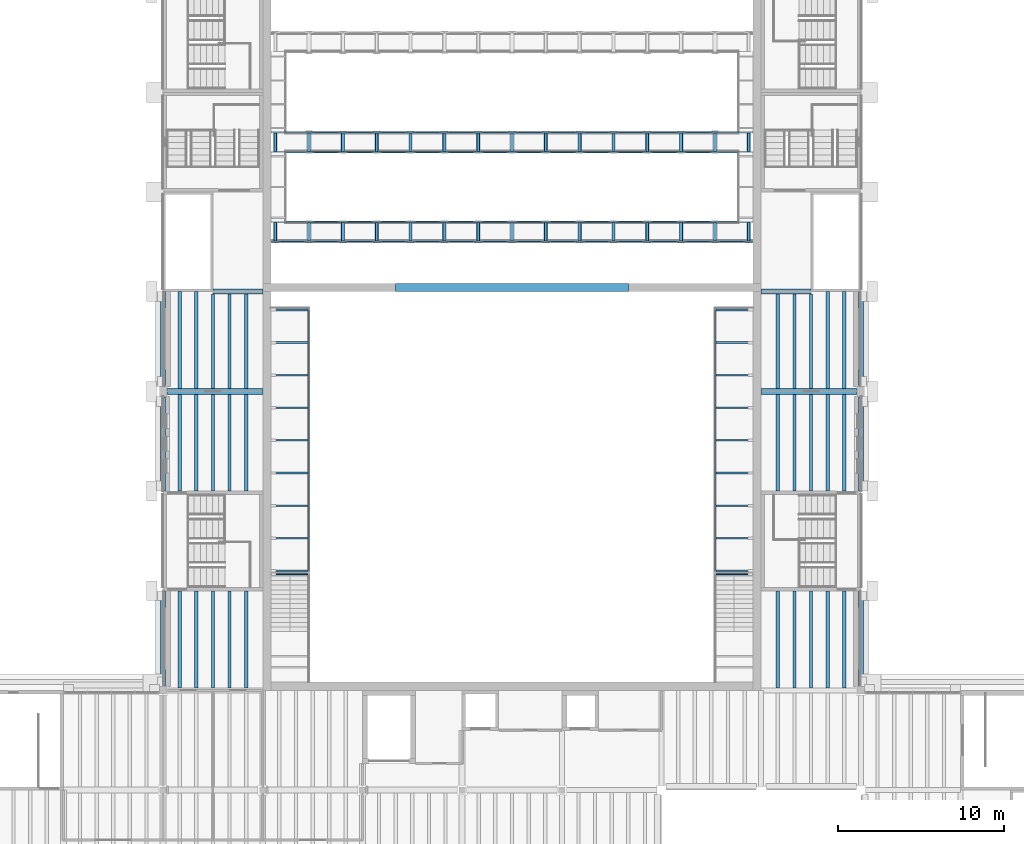
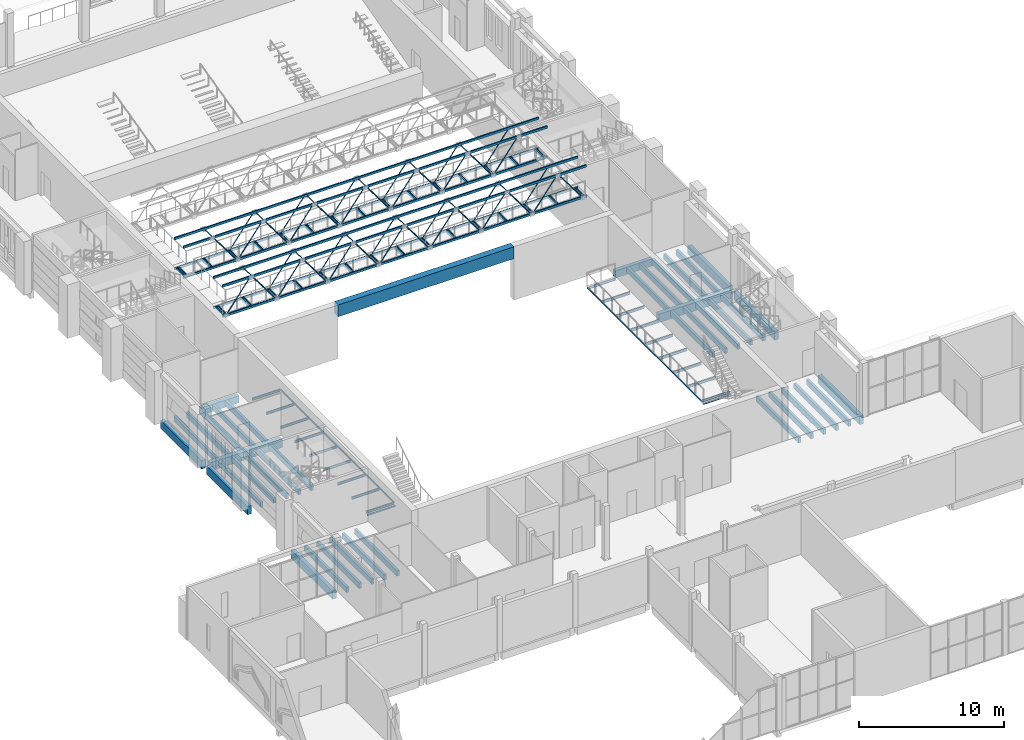
# One storey, part 10 of 70: 101 beams, 50 members.
"""IFC4 building model written with IfcOpenShell, lengths in metres."""

from ifc_helpers import new_model, si_unit, direction, frame, origin, origin_2d, place, context, subcontext, project, spatial, rectangle, hollow_rectangle, hollow_circle, i_section, extrude, material, material_profile, profile_set, type_object, element, save


model = new_model("IFC4")

# Units and contexts
model_context = context("Model", 3, precision=1e-05, world=origin(), true_north=direction((0.0, 1.0)))
body_context = subcontext(model_context, "Body", "Model", "MODEL_VIEW")
ifc_project = project(units=[si_unit("LENGTHUNIT", "METRE"), si_unit("AREAUNIT", "SQUARE_METRE"), si_unit("VOLUMEUNIT", "CUBIC_METRE"), si_unit("PLANEANGLEUNIT", "RADIAN"), si_unit("MASSUNIT", "GRAM", prefix="KILO")], contexts=[model_context])

# Site, building, storey
site_placement = place(None, origin())
site = spatial("IfcSite", under=ifc_project, at=site_placement, CompositionType="ELEMENT")
building_placement = place(site_placement, origin())
building = spatial("IfcBuilding", under=site, at=building_placement, Name="Saffron Lane Theatres", CompositionType="ELEMENT")
storey_placement = place(building_placement, frame((0.0, 0.0, 12.0)))
storey = spatial("IfcBuildingStorey", under=building, at=storey_placement, Name="L02", CompositionType="ELEMENT", Elevation=12.0)

# Beams
ifc_material_1 = material(Name="Concrete N40 (40 MPa)", Category="concrete")
ifc_material_profile_1 = material_profile(ifc_material_1, rectangle(XDim=0.300048828125, YDim=0.60009765625, at=origin_2d()))
ifc_profile_set_1 = profile_set([ifc_material_profile_1], Name="Concrete N40 (40 MPa)")
beam_type_1 = type_object("IfcBeamType", Name="RC-BEAM 300x600", PredefinedType="BEAM", material=ifc_profile_set_1)
for number, where, z_axis, x_axis, name in (
    (1, (15.0, 54.0, -0.550048828125), (1.0, 0.0, 0.0), (0.0, 1.0, 0.0), "beam-L02-x540-150"),
    (2, (48.0, 54.0, -0.550048828125), (1.0, 0.0, 0.0), (0.0, 1.0, 0.0), "beam-L02-x540-480"),
):
    element("IfcBeam", number, at=place(storey_placement, frame(where, z_axis=z_axis, x_axis=x_axis)), inside=storey, type_object=beam_type_1, Name=name, PredefinedType="BEAM", context=body_context, shape_type="SweptSolid", body=[
        extrude(rectangle(XDim=0.300048828125, YDim=0.60009765625, at=origin_2d()), origin(), (0.0, 0.0, 1.0), 3.0),
    ])
ifc_material_2 = material(Name="Concrete N40 (40 MPa)", Category="concrete")
ifc_material_profile_2 = material_profile(ifc_material_2, rectangle(XDim=0.300048828125, YDim=0.699951171875, at=origin_2d()))
ifc_profile_set_2 = profile_set([ifc_material_profile_2], Name="Concrete N40 (40 MPa)")
beam_type_2 = type_object("IfcBeamType", Name="RC-BEAM 300x700", PredefinedType="BEAM", material=ifc_profile_set_2)
beam_1_placement = place(storey_placement, frame((12.0, 30.27490234375, -0.60009765625), z_axis=(0.0, 1.0, 0.0), x_axis=(-1.0, 0.0, 0.0)))
element("IfcBeam", 3, at=beam_1_placement, inside=storey, type_object=beam_type_2, Name="beam-L02-y120-303", PredefinedType="BEAM", context=body_context, shape_type="SweptSolid", body=[
    extrude(rectangle(XDim=0.300048828125, YDim=0.699951171875, at=origin_2d()), origin(), (0.0, 0.0, 1.0), 5.72509765625),
])
for number, where, z_axis, x_axis, name in (
    (4, (12.0, 42.0, -0.60009765625), (0.0, 1.0, 0.0), (-1.0, 0.0, 0.0), "beam-L02-y120-420"),
    (5, (12.0, 48.35009765625, -0.60009765625), (0.0, 1.0, 0.0), (-1.0, 0.0, 0.0), "beam-L02-y120-484"),
):
    element("IfcBeam", number, at=place(storey_placement, frame(where, z_axis=z_axis, x_axis=x_axis)), inside=storey, type_object=beam_type_2, Name=name, PredefinedType="BEAM", context=body_context, shape_type="SweptSolid", body=[
        extrude(rectangle(XDim=0.300048828125, YDim=0.699951171875, at=origin_2d()), origin(), (0.0, 0.0, 1.0), 5.64990234375),
    ])
beam_2_placement = place(storey_placement, frame((54.0, 30.27490234375, -0.60009765625), z_axis=(0.0, 1.0, 0.0), x_axis=(-1.0, 0.0, 0.0)))
element("IfcBeam", 6, at=beam_2_placement, inside=storey, type_object=beam_type_2, Name="beam-L02-y540-303", PredefinedType="BEAM", context=body_context, shape_type="SweptSolid", body=[
    extrude(rectangle(XDim=0.300048828125, YDim=0.699951171875, at=origin_2d()), origin(), (0.0, 0.0, 1.0), 5.72509765625),
])
for number, where, z_axis, x_axis, name in (
    (7, (54.0, 42.0, -0.60009765625), (0.0, 1.0, 0.0), (-1.0, 0.0, 0.0), "beam-L02-y540-420"),
    (8, (54.0, 48.35009765625, -0.60009765625), (0.0, 1.0, 0.0), (-1.0, 0.0, 0.0), "beam-L02-y540-484"),
):
    element("IfcBeam", number, at=place(storey_placement, frame(where, z_axis=z_axis, x_axis=x_axis)), inside=storey, type_object=beam_type_2, Name=name, PredefinedType="BEAM", context=body_context, shape_type="SweptSolid", body=[
        extrude(rectangle(XDim=0.300048828125, YDim=0.699951171875, at=origin_2d()), origin(), (0.0, 0.0, 1.0), 5.64990234375),
    ])
ifc_material_3 = material(Name="Concrete N40 (40 MPa)", Category="concrete")
ifc_material_profile_3 = material_profile(ifc_material_3, rectangle(XDim=0.35009765625, YDim=0.699951171875, at=origin_2d()))
ifc_profile_set_3 = profile_set([ifc_material_profile_3], Name="Concrete N40 (40 MPa)")
beam_type_3 = type_object("IfcBeamType", Name="RC-BEAM 350x700", PredefinedType="BEAM", material=ifc_profile_set_3)
for number, where, z_axis, x_axis, name in (
    (9, (12.25, 48.0, -0.60009765625), (1.0, 0.0, 0.0), (0.0, 1.0, 0.0), "beam-L02-x480-122"),
    (10, (48.0, 48.0, -0.60009765625), (1.0, 0.0, 0.0), (0.0, 1.0, 0.0), "beam-L02-x480-480"),
):
    element("IfcBeam", number, at=place(storey_placement, frame(where, z_axis=z_axis, x_axis=x_axis)), inside=storey, type_object=beam_type_3, Name=name, PredefinedType="BEAM", context=body_context, shape_type="SweptSolid", body=[
        extrude(rectangle(XDim=0.35009765625, YDim=0.699951171875, at=origin_2d()), origin(), (0.0, 0.0, 1.0), 5.75),
    ])
ifc_material_4 = material(Name="Concrete N40 (40 MPa)", Category="concrete")
ifc_material_profile_4 = material_profile(ifc_material_4, rectangle(XDim=0.199951171875, YDim=0.449951171875, at=origin_2d()))
ifc_profile_set_4 = profile_set([ifc_material_profile_4], Name="Concrete N40 (40 MPa)")
beam_type_4 = type_object("IfcBeamType", Name="RC-JOIST 200x450", PredefinedType="JOIST", material=ifc_profile_set_4)
for number, where, z_axis, x_axis, name in (
    (11, (13.0, 30.14990234375, -0.47509765625), (0.0, 1.0, 0.0), (-1.0, 0.0, 0.0), "joist-L02-y1300-302"),
    (12, (14.0, 30.14990234375, -0.47509765625), (0.0, 1.0, 0.0), (-1.0, 0.0, 0.0), "joist-L02-y1400-302"),
    (13, (15.0, 30.14990234375, -0.47509765625), (0.0, 1.0, 0.0), (-1.0, 0.0, 0.0), "joist-L02-y1500-302"),
    (14, (16.0, 30.14990234375, -0.47509765625), (0.0, 1.0, 0.0), (-1.0, 0.0, 0.0), "joist-L02-y1600-302"),
    (15, (17.0, 30.14990234375, -0.47509765625), (0.0, 1.0, 0.0), (-1.0, 0.0, 0.0), "joist-L02-y1700-302"),
):
    element("IfcBeam", number, at=place(storey_placement, frame(where, z_axis=z_axis, x_axis=x_axis)), inside=storey, type_object=beam_type_4, Name=name, PredefinedType="JOIST", context=body_context, shape_type="SweptSolid", body=[
        extrude(rectangle(XDim=0.199951171875, YDim=0.449951171875, at=origin_2d()), origin(), (0.0, 0.0, 1.0), 5.85009765625),
    ])
for number, where, z_axis, x_axis, name in (
    (16, (13.0, 42.0, -0.47509765625), (0.0, 1.0, 0.0), (-1.0, 0.0, 0.0), "joist-L02-y1300-420"),
    (17, (14.0, 42.0, -0.47509765625), (0.0, 1.0, 0.0), (-1.0, 0.0, 0.0), "joist-L02-y1400-420"),
    (18, (15.0, 42.0, -0.47509765625), (0.0, 1.0, 0.0), (-1.0, 0.0, 0.0), "joist-L02-y1500-420"),
    (19, (16.0, 42.0, -0.47509765625), (0.0, 1.0, 0.0), (-1.0, 0.0, 0.0), "joist-L02-y1600-420"),
    (20, (17.0, 42.0, -0.47509765625), (0.0, 1.0, 0.0), (-1.0, 0.0, 0.0), "joist-L02-y1700-420"),
    (21, (13.0, 48.175048828125, -0.47509765625), (0.0, 1.0, 0.0), (-1.0, 0.0, 0.0), "joist-L02-y1300-482"),
    (22, (14.0, 48.175048828125, -0.47509765625), (0.0, 1.0, 0.0), (-1.0, 0.0, 0.0), "joist-L02-y1400-482"),
):
    element("IfcBeam", number, at=place(storey_placement, frame(where, z_axis=z_axis, x_axis=x_axis)), inside=storey, type_object=beam_type_4, Name=name, PredefinedType="JOIST", context=body_context, shape_type="SweptSolid", body=[
        extrude(rectangle(XDim=0.199951171875, YDim=0.449951171875, at=origin_2d()), origin(), (0.0, 0.0, 1.0), 5.824951171875),
    ])
for number, where, z_axis, x_axis, name in (
    (23, (15.0, 48.175048828125, -0.47509765625), (0.0, 1.0, 0.0), (-1.0, 0.0, 0.0), "joist-L02-y1500-482"),
    (24, (16.0, 48.175048828125, -0.47509765625), (0.0, 1.0, 0.0), (-1.0, 0.0, 0.0), "joist-L02-y1600-482"),
    (25, (17.0, 48.175048828125, -0.47509765625), (0.0, 1.0, 0.0), (-1.0, 0.0, 0.0), "joist-L02-y1700-482"),
):
    element("IfcBeam", number, at=place(storey_placement, frame(where, z_axis=z_axis, x_axis=x_axis)), inside=storey, type_object=beam_type_4, Name=name, PredefinedType="JOIST", context=body_context, shape_type="SweptSolid", body=[
        extrude(rectangle(XDim=0.199951171875, YDim=0.449951171875, at=origin_2d()), origin(), (0.0, 0.0, 1.0), 5.675048828125),
    ])
for number, where, z_axis, x_axis, name in (
    (26, (49.0, 30.14990234375, -0.47509765625), (0.0, 1.0, 0.0), (-1.0, 0.0, 0.0), "joist-L02-y4900-302"),
    (27, (50.0, 30.14990234375, -0.47509765625), (0.0, 1.0, 0.0), (-1.0, 0.0, 0.0), "joist-L02-y5000-302"),
    (28, (51.0, 30.14990234375, -0.47509765625), (0.0, 1.0, 0.0), (-1.0, 0.0, 0.0), "joist-L02-y5100-302"),
    (29, (52.0, 30.14990234375, -0.47509765625), (0.0, 1.0, 0.0), (-1.0, 0.0, 0.0), "joist-L02-y5200-302"),
    (30, (53.0, 30.14990234375, -0.47509765625), (0.0, 1.0, 0.0), (-1.0, 0.0, 0.0), "joist-L02-y5300-302"),
):
    element("IfcBeam", number, at=place(storey_placement, frame(where, z_axis=z_axis, x_axis=x_axis)), inside=storey, type_object=beam_type_4, Name=name, PredefinedType="JOIST", context=body_context, shape_type="SweptSolid", body=[
        extrude(rectangle(XDim=0.199951171875, YDim=0.449951171875, at=origin_2d()), origin(), (0.0, 0.0, 1.0), 5.85009765625),
    ])
for number, where, z_axis, x_axis, name in (
    (31, (49.0, 42.0, -0.47509765625), (0.0, 1.0, 0.0), (-1.0, 0.0, 0.0), "joist-L02-y4900-420"),
    (32, (50.0, 42.0, -0.47509765625), (0.0, 1.0, 0.0), (-1.0, 0.0, 0.0), "joist-L02-y5000-420"),
    (33, (51.0, 42.0, -0.47509765625), (0.0, 1.0, 0.0), (-1.0, 0.0, 0.0), "joist-L02-y5100-420"),
    (34, (52.0, 42.0, -0.47509765625), (0.0, 1.0, 0.0), (-1.0, 0.0, 0.0), "joist-L02-y5200-420"),
    (35, (53.0, 42.0, -0.47509765625), (0.0, 1.0, 0.0), (-1.0, 0.0, 0.0), "joist-L02-y5300-420"),
):
    element("IfcBeam", number, at=place(storey_placement, frame(where, z_axis=z_axis, x_axis=x_axis)), inside=storey, type_object=beam_type_4, Name=name, PredefinedType="JOIST", context=body_context, shape_type="SweptSolid", body=[
        extrude(rectangle(XDim=0.199951171875, YDim=0.449951171875, at=origin_2d()), origin(), (0.0, 0.0, 1.0), 5.824951171875),
    ])
for number, where, z_axis, x_axis, name in (
    (36, (49.0, 48.175048828125, -0.47509765625), (0.0, 1.0, 0.0), (-1.0, 0.0, 0.0), "joist-L02-y4900-482"),
    (37, (50.0, 48.175048828125, -0.47509765625), (0.0, 1.0, 0.0), (-1.0, 0.0, 0.0), "joist-L02-y5000-482"),
    (38, (51.0, 48.175048828125, -0.47509765625), (0.0, 1.0, 0.0), (-1.0, 0.0, 0.0), "joist-L02-y5100-482"),
):
    element("IfcBeam", number, at=place(storey_placement, frame(where, z_axis=z_axis, x_axis=x_axis)), inside=storey, type_object=beam_type_4, Name=name, PredefinedType="JOIST", context=body_context, shape_type="SweptSolid", body=[
        extrude(rectangle(XDim=0.199951171875, YDim=0.449951171875, at=origin_2d()), origin(), (0.0, 0.0, 1.0), 5.675048828125),
    ])
for number, where, z_axis, x_axis, name in (
    (39, (52.0, 48.175048828125, -0.47509765625), (0.0, 1.0, 0.0), (-1.0, 0.0, 0.0), "joist-L02-y5200-482"),
    (40, (53.0, 48.175048828125, -0.47509765625), (0.0, 1.0, 0.0), (-1.0, 0.0, 0.0), "joist-L02-y5300-482"),
):
    element("IfcBeam", number, at=place(storey_placement, frame(where, z_axis=z_axis, x_axis=x_axis)), inside=storey, type_object=beam_type_4, Name=name, PredefinedType="JOIST", context=body_context, shape_type="SweptSolid", body=[
        extrude(rectangle(XDim=0.199951171875, YDim=0.449951171875, at=origin_2d()), origin(), (0.0, 0.0, 1.0), 5.824951171875),
    ])
ifc_material_5 = material(Name="Concrete N50 (50 MPa)", Category="concrete")
ifc_material_profile_5 = material_profile(ifc_material_5, rectangle(XDim=0.5, YDim=1.0, at=origin_2d()))
ifc_profile_set_5 = profile_set([ifc_material_profile_5], Name="Concrete N50 (50 MPa)")
beam_type_5 = type_object("IfcBeamType", Name="RC-LINTEL 500x1000", PredefinedType="LINTEL", material=ifc_profile_set_5)
beam_3_placement = place(storey_placement, frame((26.0, 54.25, 4.0), z_axis=(1.0, 0.0, 0.0), x_axis=(0.0, 1.0, 0.0)))
element("IfcBeam", 41, at=beam_3_placement, inside=storey, type_object=beam_type_5, Name="beam-L02-prosc-lintel", PredefinedType="LINTEL", context=body_context, shape_type="SweptSolid", body=[
    extrude(rectangle(XDim=0.5, YDim=1.0, at=origin_2d()), origin(), (0.0, 0.0, 1.0), 14.0),
])
ifc_material_6 = material(Name="Steel Grade 350", Category="steel")
ifc_material_profile_6 = material_profile(ifc_material_6, hollow_rectangle(XDim=0.10009765625, YDim=0.199951171875, WallThickness=0.006103515625, InnerFilletRadius=0.0029296875, OuterFilletRadius=0.009033203125, at=origin_2d()))
ifc_profile_set_6 = profile_set([ifc_material_profile_6], Name="Steel Grade 350")
beam_type_6 = type_object("IfcBeamType", Name="ST-BRIDGE CHORD 200x100x6 RHS", PredefinedType="BEAM", material=ifc_profile_set_6)
for number, where, z_axis, x_axis, name in (
    (42, (18.5, 57.0, 4.360107421875), (1.0, 0.0, 0.0), (0.0, 1.0, 0.0), "LB1AB"),
    (43, (18.5, 57.0, 6.89990234375), (1.0, 0.0, 0.0), (0.0, 1.0, 0.0), "LB1AT"),
    (44, (18.5, 58.199951171875, 4.360107421875), (1.0, 0.0, 0.0), (0.0, 1.0, 0.0), "LB1BB"),
    (45, (18.5, 58.199951171875, 6.89990234375), (1.0, 0.0, 0.0), (0.0, 1.0, 0.0), "LB1BT"),
    (46, (18.5, 62.39990234375, 4.360107421875), (1.0, 0.0, 0.0), (0.0, 1.0, 0.0), "LB2AB"),
    (47, (18.5, 62.39990234375, 6.89990234375), (1.0, 0.0, 0.0), (0.0, 1.0, 0.0), "LB2AT"),
    (48, (18.5, 63.60009765625, 4.360107421875), (1.0, 0.0, 0.0), (0.0, 1.0, 0.0), "LB2BB"),
    (49, (18.5, 63.60009765625, 6.89990234375), (1.0, 0.0, 0.0), (0.0, 1.0, 0.0), "LB2BT"),
):
    element("IfcBeam", number, at=place(storey_placement, frame(where, z_axis=z_axis, x_axis=x_axis)), inside=storey, type_object=beam_type_6, Name=name, PredefinedType="BEAM", context=body_context, shape_type="SweptSolid", body=[
        extrude(hollow_rectangle(XDim=0.10009765625, YDim=0.199951171875, WallThickness=0.006103515625, InnerFilletRadius=0.0029296875, OuterFilletRadius=0.009033203125, at=origin_2d()), origin(), (0.0, 0.0, 1.0), 29.0),
    ])
ifc_material_7 = material(Name="Steel Grade 350", Category="steel")
ifc_material_profile_7 = material_profile(ifc_material_7, i_section(OverallWidth=0.202880859375, OverallDepth=0.202880859375, WebThickness=0.00732421875, FlangeThickness=0.010986328125, FilletRadius=0.010009765625, at=origin_2d()))
ifc_profile_set_7 = profile_set([ifc_material_profile_7], Name="Steel Grade 350")
beam_type_7 = type_object("IfcBeamType", Name="ST-BRIDGE CROSS 200UC46.2", PredefinedType="JOIST", material=ifc_profile_set_7)
for number, where, z_axis, x_axis, name in (
    (50, (18.75, 57.050048828125, 4.3583984375), (0.0, 1.0, 0.0), (0.0, 0.0, 1.0), "LC1-1"),
    (51, (20.78564453125, 57.050048828125, 4.3583984375), (0.0, 1.0, 0.0), (0.0, 0.0, 1.0), "LC1-2"),
    (52, (22.821533203125, 57.050048828125, 4.3583984375), (0.0, 1.0, 0.0), (0.0, 0.0, 1.0), "LC1-3"),
    (53, (24.857177734375, 57.050048828125, 4.3583984375), (0.0, 1.0, 0.0), (0.0, 0.0, 1.0), "LC1-4"),
    (54, (26.892822265625, 57.050048828125, 4.3583984375), (0.0, 1.0, 0.0), (0.0, 0.0, 1.0), "LC1-5"),
    (55, (28.928466796875, 57.050048828125, 4.3583984375), (0.0, 1.0, 0.0), (0.0, 0.0, 1.0), "LC1-6"),
    (56, (30.96435546875, 57.050048828125, 4.3583984375), (0.0, 1.0, 0.0), (0.0, 0.0, 1.0), "LC1-7"),
    (57, (33.0, 57.050048828125, 4.3583984375), (0.0, 1.0, 0.0), (0.0, 0.0, 1.0), "LC1-8"),
    (58, (35.03564453125, 57.050048828125, 4.3583984375), (0.0, 1.0, 0.0), (0.0, 0.0, 1.0), "LC1-9"),
    (59, (37.071533203125, 57.050048828125, 4.3583984375), (0.0, 1.0, 0.0), (0.0, 0.0, 1.0), "LC1-10"),
    (60, (39.107177734375, 57.050048828125, 4.3583984375), (0.0, 1.0, 0.0), (0.0, 0.0, 1.0), "LC1-11"),
    (61, (41.142822265625, 57.050048828125, 4.3583984375), (0.0, 1.0, 0.0), (0.0, 0.0, 1.0), "LC1-12"),
    (62, (43.178466796875, 57.050048828125, 4.3583984375), (0.0, 1.0, 0.0), (0.0, 0.0, 1.0), "LC1-13"),
    (63, (45.21435546875, 57.050048828125, 4.3583984375), (0.0, 1.0, 0.0), (0.0, 0.0, 1.0), "LC1-14"),
    (64, (47.25, 57.050048828125, 4.3583984375), (0.0, 1.0, 0.0), (0.0, 0.0, 1.0), "LC1-15"),
):
    element("IfcBeam", number, at=place(storey_placement, frame(where, z_axis=z_axis, x_axis=x_axis)), inside=storey, type_object=beam_type_7, Name=name, PredefinedType="JOIST", context=body_context, shape_type="SweptSolid", body=[
        extrude(i_section(OverallWidth=0.202880859375, OverallDepth=0.202880859375, WebThickness=0.00732421875, FlangeThickness=0.010986328125, FilletRadius=0.010009765625, at=origin_2d()), origin(), (0.0, 0.0, 1.0), 1.099853515625),
    ])
for number, where, z_axis, x_axis, name in (
    (65, (18.75, 62.449951171875, 4.3583984375), (0.0, 1.0, 0.0), (0.0, 0.0, 1.0), "LC2-1"),
    (66, (20.78564453125, 62.449951171875, 4.3583984375), (0.0, 1.0, 0.0), (0.0, 0.0, 1.0), "LC2-2"),
    (67, (22.821533203125, 62.449951171875, 4.3583984375), (0.0, 1.0, 0.0), (0.0, 0.0, 1.0), "LC2-3"),
    (68, (24.857177734375, 62.449951171875, 4.3583984375), (0.0, 1.0, 0.0), (0.0, 0.0, 1.0), "LC2-4"),
    (69, (26.892822265625, 62.449951171875, 4.3583984375), (0.0, 1.0, 0.0), (0.0, 0.0, 1.0), "LC2-5"),
    (70, (28.928466796875, 62.449951171875, 4.3583984375), (0.0, 1.0, 0.0), (0.0, 0.0, 1.0), "LC2-6"),
    (71, (30.96435546875, 62.449951171875, 4.3583984375), (0.0, 1.0, 0.0), (0.0, 0.0, 1.0), "LC2-7"),
    (72, (33.0, 62.449951171875, 4.3583984375), (0.0, 1.0, 0.0), (0.0, 0.0, 1.0), "LC2-8"),
    (73, (35.03564453125, 62.449951171875, 4.3583984375), (0.0, 1.0, 0.0), (0.0, 0.0, 1.0), "LC2-9"),
    (74, (37.071533203125, 62.449951171875, 4.3583984375), (0.0, 1.0, 0.0), (0.0, 0.0, 1.0), "LC2-10"),
    (75, (39.107177734375, 62.449951171875, 4.3583984375), (0.0, 1.0, 0.0), (0.0, 0.0, 1.0), "LC2-11"),
    (76, (41.142822265625, 62.449951171875, 4.3583984375), (0.0, 1.0, 0.0), (0.0, 0.0, 1.0), "LC2-12"),
    (77, (43.178466796875, 62.449951171875, 4.3583984375), (0.0, 1.0, 0.0), (0.0, 0.0, 1.0), "LC2-13"),
    (78, (45.21435546875, 62.449951171875, 4.3583984375), (0.0, 1.0, 0.0), (0.0, 0.0, 1.0), "LC2-14"),
    (79, (47.25, 62.449951171875, 4.3583984375), (0.0, 1.0, 0.0), (0.0, 0.0, 1.0), "LC2-15"),
):
    element("IfcBeam", number, at=place(storey_placement, frame(where, z_axis=z_axis, x_axis=x_axis)), inside=storey, type_object=beam_type_7, Name=name, PredefinedType="JOIST", context=body_context, shape_type="SweptSolid", body=[
        extrude(i_section(OverallWidth=0.202880859375, OverallDepth=0.202880859375, WebThickness=0.00732421875, FlangeThickness=0.010986328125, FilletRadius=0.010009765625, at=origin_2d()), origin(), (0.0, 0.0, 1.0), 1.10009765625),
    ])

# Members
ifc_material_8 = material(Name="Steel Grade 350", Category="steel")
ifc_material_profile_8 = material_profile(ifc_material_8, hollow_circle(Radius=0.0380859375, WallThickness=0.003662109375, at=origin_2d()))
ifc_profile_set_8 = profile_set([ifc_material_profile_8], Name="Steel Grade 350")
member_type = type_object("IfcMemberType", Name="ST-BRIDGE DIAG 76.1x3.6 CHS", PredefinedType="BRACE", material=ifc_profile_set_8)
for number, where, z_axis, x_axis, name in (
    (80, (18.902587890625, 57.0, 4.48291015625), (0.602186287393, 0.0, 0.79835560703), (0.0, 1.0, 0.0), "LD1A-1"),
    (81, (20.9384765625, 57.0, 6.777099609375), (0.602132133056, 0.0, -0.798396451859), (0.0, 1.0, 0.0), "LD1A-2"),
    (82, (22.97412109375, 57.0, 4.48291015625), (0.602132133056, 0.0, 0.798396451859), (0.0, 1.0, 0.0), "LD1A-3"),
    (83, (25.009765625, 57.0, 6.777099609375), (0.602186287393, 0.0, -0.79835560703), (0.0, 1.0, 0.0), "LD1A-4"),
    (84, (27.045654296875, 57.0, 4.48291015625), (0.602132133056, 0.0, 0.798396451859), (0.0, 1.0, 0.0), "LD1A-5"),
    (85, (29.081298828125, 57.0, 6.777099609375), (0.602132133056, 0.0, -0.798396451859), (0.0, 1.0, 0.0), "LD1A-6"),
    (86, (31.116943359375, 57.0, 4.48291015625), (0.602186287393, 0.0, 0.79835560703), (0.0, 1.0, 0.0), "LD1A-7"),
    (87, (33.152587890625, 57.0, 6.777099609375), (0.602186287393, 0.0, -0.79835560703), (0.0, 1.0, 0.0), "LD1A-8"),
    (88, (35.1884765625, 57.0, 4.48291015625), (0.602132133056, 0.0, 0.798396451859), (0.0, 1.0, 0.0), "LD1A-9"),
    (89, (37.22412109375, 57.0, 6.777099609375), (0.602132133056, 0.0, -0.798396451859), (0.0, 1.0, 0.0), "LD1A-10"),
    (90, (39.259765625, 57.0, 4.48291015625), (0.602186287393, 0.0, 0.79835560703), (0.0, 1.0, 0.0), "LD1A-11"),
    (91, (41.295654296875, 57.0, 6.777099609375), (0.602132133056, 0.0, -0.798396451859), (0.0, 1.0, 0.0), "LD1A-12"),
    (92, (43.331298828125, 57.0, 4.48291015625), (0.602132133056, 0.0, 0.798396451859), (0.0, 1.0, 0.0), "LD1A-13"),
    (93, (45.366943359375, 57.0, 6.777099609375), (0.602186287393, 0.0, -0.79835560703), (0.0, 1.0, 0.0), "LD1A-14"),
    (94, (20.9384765625, 58.199951171875, 6.777099609375), (0.602132133056, 0.0, -0.798396451859), (0.0, 1.0, 0.0), "LD1B-2"),
    (95, (22.97412109375, 58.199951171875, 4.48291015625), (0.602132133056, 0.0, 0.798396451859), (0.0, 1.0, 0.0), "LD1B-3"),
    (96, (25.009765625, 58.199951171875, 6.777099609375), (0.602186287393, 0.0, -0.79835560703), (0.0, 1.0, 0.0), "LD1B-4"),
    (97, (27.045654296875, 58.199951171875, 4.48291015625), (0.602132133056, 0.0, 0.798396451859), (0.0, 1.0, 0.0), "LD1B-5"),
    (98, (29.081298828125, 58.199951171875, 6.777099609375), (0.602132133056, 0.0, -0.798396451859), (0.0, 1.0, 0.0), "LD1B-6"),
    (99, (31.116943359375, 58.199951171875, 4.48291015625), (0.602186287393, 0.0, 0.79835560703), (0.0, 1.0, 0.0), "LD1B-7"),
    (100, (33.152587890625, 58.199951171875, 6.777099609375), (0.602186287393, 0.0, -0.79835560703), (0.0, 1.0, 0.0), "LD1B-8"),
    (101, (35.1884765625, 58.199951171875, 4.48291015625), (0.602132133056, 0.0, 0.798396451859), (0.0, 1.0, 0.0), "LD1B-9"),
    (102, (37.22412109375, 58.199951171875, 6.777099609375), (0.602132133056, 0.0, -0.798396451859), (0.0, 1.0, 0.0), "LD1B-10"),
    (103, (39.259765625, 58.199951171875, 4.48291015625), (0.602186287393, 0.0, 0.79835560703), (0.0, 1.0, 0.0), "LD1B-11"),
    (104, (41.295654296875, 58.199951171875, 6.777099609375), (0.602132133056, 0.0, -0.798396451859), (0.0, 1.0, 0.0), "LD1B-12"),
    (105, (43.331298828125, 58.199951171875, 4.48291015625), (0.602132133056, 0.0, 0.798396451859), (0.0, 1.0, 0.0), "LD1B-13"),
    (106, (20.9384765625, 62.39990234375, 6.777099609375), (0.602132133056, 0.0, -0.798396451859), (0.0, 1.0, 0.0), "LD2A-2"),
    (107, (22.97412109375, 62.39990234375, 4.48291015625), (0.602132133056, 0.0, 0.798396451859), (0.0, 1.0, 0.0), "LD2A-3"),
    (108, (25.009765625, 62.39990234375, 6.777099609375), (0.602186287393, 0.0, -0.79835560703), (0.0, 1.0, 0.0), "LD2A-4"),
    (109, (27.045654296875, 62.39990234375, 4.48291015625), (0.602132133056, 0.0, 0.798396451859), (0.0, 1.0, 0.0), "LD2A-5"),
    (110, (29.081298828125, 62.39990234375, 6.777099609375), (0.602132133056, 0.0, -0.798396451859), (0.0, 1.0, 0.0), "LD2A-6"),
    (111, (31.116943359375, 62.39990234375, 4.48291015625), (0.602186287393, 0.0, 0.79835560703), (0.0, 1.0, 0.0), "LD2A-7"),
    (112, (33.152587890625, 62.39990234375, 6.777099609375), (0.602186287393, 0.0, -0.79835560703), (0.0, 1.0, 0.0), "LD2A-8"),
    (113, (35.1884765625, 62.39990234375, 4.48291015625), (0.602132133056, 0.0, 0.798396451859), (0.0, 1.0, 0.0), "LD2A-9"),
    (114, (37.22412109375, 62.39990234375, 6.777099609375), (0.602132133056, 0.0, -0.798396451859), (0.0, 1.0, 0.0), "LD2A-10"),
    (115, (39.259765625, 62.39990234375, 4.48291015625), (0.602186287393, 0.0, 0.79835560703), (0.0, 1.0, 0.0), "LD2A-11"),
    (116, (41.295654296875, 62.39990234375, 6.777099609375), (0.602132133056, 0.0, -0.798396451859), (0.0, 1.0, 0.0), "LD2A-12"),
    (117, (43.331298828125, 62.39990234375, 4.48291015625), (0.602132133056, 0.0, 0.798396451859), (0.0, 1.0, 0.0), "LD2A-13"),
    (118, (20.9384765625, 63.60009765625, 6.777099609375), (0.602132133056, 0.0, -0.798396451859), (0.0, 1.0, 0.0), "LD2B-2"),
    (119, (22.97412109375, 63.60009765625, 4.48291015625), (0.602132133056, 0.0, 0.798396451859), (0.0, 1.0, 0.0), "LD2B-3"),
    (120, (25.009765625, 63.60009765625, 6.777099609375), (0.602186287393, 0.0, -0.79835560703), (0.0, 1.0, 0.0), "LD2B-4"),
    (121, (27.045654296875, 63.60009765625, 4.48291015625), (0.602132133056, 0.0, 0.798396451859), (0.0, 1.0, 0.0), "LD2B-5"),
    (122, (29.081298828125, 63.60009765625, 6.777099609375), (0.602132133056, 0.0, -0.798396451859), (0.0, 1.0, 0.0), "LD2B-6"),
    (123, (31.116943359375, 63.60009765625, 4.48291015625), (0.602186287393, 0.0, 0.79835560703), (0.0, 1.0, 0.0), "LD2B-7"),
    (124, (33.152587890625, 63.60009765625, 6.777099609375), (0.602186287393, 0.0, -0.79835560703), (0.0, 1.0, 0.0), "LD2B-8"),
    (125, (35.1884765625, 63.60009765625, 4.48291015625), (0.602132133056, 0.0, 0.798396451859), (0.0, 1.0, 0.0), "LD2B-9"),
    (126, (37.22412109375, 63.60009765625, 6.777099609375), (0.602132133056, 0.0, -0.798396451859), (0.0, 1.0, 0.0), "LD2B-10"),
    (127, (39.259765625, 63.60009765625, 4.48291015625), (0.602186287393, 0.0, 0.79835560703), (0.0, 1.0, 0.0), "LD2B-11"),
    (128, (41.295654296875, 63.60009765625, 6.777099609375), (0.602132133056, 0.0, -0.798396451859), (0.0, 1.0, 0.0), "LD2B-12"),
    (129, (43.331298828125, 63.60009765625, 4.48291015625), (0.602132133056, 0.0, 0.798396451859), (0.0, 1.0, 0.0), "LD2B-13"),
):
    element("IfcMember", number, at=place(storey_placement, frame(where, z_axis=z_axis, x_axis=x_axis)), inside=storey, type_object=member_type, Name=name, PredefinedType="BRACE", context=body_context, shape_type="SweptSolid", body=[
        extrude(hollow_circle(Radius=0.0380859375, WallThickness=0.003662109375, at=origin_2d()), origin(), (0.0, 0.0, 1.0), 2.87353515625),
    ])

# Beams
ifc_material_9 = material(Name="Steel Grade 350", Category="steel")
ifc_material_profile_9 = material_profile(ifc_material_9, i_section(OverallWidth=0.09912109375, OverallDepth=0.197998046875, WebThickness=0.00439453125, FlangeThickness=0.007080078125, FilletRadius=0.010986328125, at=origin_2d()))
ifc_profile_set_9 = profile_set([ifc_material_profile_9], Name="Steel Grade 350")
beam_type_8 = type_object("IfcBeamType", Name="ST-GALLERY BEAM 200UB18.2", PredefinedType="BEAM", material=ifc_profile_set_9)
for number, where, z_axis, x_axis, name in (
    (130, (18.5, 37.199951171875, -0.14892578125), (1.0, 0.0, 0.0), (0.0, 1.0, 0.0), "FBW12-2"),
    (131, (18.5, 39.16259765625, -0.14892578125), (1.0, 0.0, 0.0), (0.0, 1.0, 0.0), "FBW12-3"),
    (132, (18.5, 41.125, -0.14892578125), (1.0, 0.0, 0.0), (0.0, 1.0, 0.0), "FBW12-4"),
    (133, (18.5, 43.08740234375, -0.14892578125), (1.0, 0.0, 0.0), (0.0, 1.0, 0.0), "FBW12-5"),
    (134, (18.5, 45.050048828125, -0.14892578125), (1.0, 0.0, 0.0), (0.0, 1.0, 0.0), "FBW12-6"),
    (135, (18.5, 47.012451171875, -0.14892578125), (1.0, 0.0, 0.0), (0.0, 1.0, 0.0), "FBW12-7"),
    (136, (18.5, 48.97509765625, -0.14892578125), (1.0, 0.0, 0.0), (0.0, 1.0, 0.0), "FBW12-8"),
    (137, (18.5, 50.9375, -0.14892578125), (1.0, 0.0, 0.0), (0.0, 1.0, 0.0), "FBW12-9"),
    (138, (18.5, 52.89990234375, -0.14892578125), (1.0, 0.0, 0.0), (0.0, 1.0, 0.0), "FBW12-10"),
    (139, (45.27490234375, 37.199951171875, -0.14892578125), (1.0, 0.0, 0.0), (0.0, 1.0, 0.0), "FBE12-2"),
    (140, (45.27490234375, 39.16259765625, -0.14892578125), (1.0, 0.0, 0.0), (0.0, 1.0, 0.0), "FBE12-3"),
    (141, (45.27490234375, 41.125, -0.14892578125), (1.0, 0.0, 0.0), (0.0, 1.0, 0.0), "FBE12-4"),
    (142, (45.27490234375, 43.08740234375, -0.14892578125), (1.0, 0.0, 0.0), (0.0, 1.0, 0.0), "FBE12-5"),
    (143, (45.27490234375, 45.050048828125, -0.14892578125), (1.0, 0.0, 0.0), (0.0, 1.0, 0.0), "FBE12-6"),
    (144, (45.27490234375, 47.012451171875, -0.14892578125), (1.0, 0.0, 0.0), (0.0, 1.0, 0.0), "FBE12-7"),
    (145, (45.27490234375, 48.97509765625, -0.14892578125), (1.0, 0.0, 0.0), (0.0, 1.0, 0.0), "FBE12-8"),
    (146, (45.27490234375, 50.9375, -0.14892578125), (1.0, 0.0, 0.0), (0.0, 1.0, 0.0), "FBE12-9"),
    (147, (45.27490234375, 52.89990234375, -0.14892578125), (1.0, 0.0, 0.0), (0.0, 1.0, 0.0), "FBE12-10"),
):
    element("IfcBeam", number, at=place(storey_placement, frame(where, z_axis=z_axis, x_axis=x_axis)), inside=storey, type_object=beam_type_8, Name=name, PredefinedType="BEAM", context=body_context, shape_type="SweptSolid", body=[
        extrude(i_section(OverallWidth=0.09912109375, OverallDepth=0.197998046875, WebThickness=0.00439453125, FlangeThickness=0.007080078125, FilletRadius=0.010986328125, at=origin_2d()), origin(), (0.0, 0.0, 1.0), 2.22509765625),
    ])
ifc_material_10 = material(Name="Steel Grade 350", Category="steel")
ifc_material_profile_10 = material_profile(ifc_material_10, hollow_rectangle(XDim=0.074951171875, YDim=0.125, WallThickness=0.0048828125, InnerFilletRadius=0.00244140625, OuterFilletRadius=0.007568359375, at=origin_2d()))
ifc_profile_set_10 = profile_set([ifc_material_profile_10], Name="Steel Grade 350")
beam_type_9 = type_object("IfcBeamType", Name="ST-GALLERY EDGE 125x75x5 RHS", PredefinedType="BEAM", material=ifc_profile_set_10)
beam_4_placement = place(storey_placement, frame((18.5, 37.0, -0.262451171875), z_axis=(1.0, 0.0, 0.0), x_axis=(0.0, 1.0, 0.0)))
element("IfcBeam", 148, at=beam_4_placement, inside=storey, type_object=beam_type_9, Name="FBW12-1", PredefinedType="BEAM", context=body_context, shape_type="SweptSolid", body=[
    extrude(hollow_rectangle(XDim=0.074951171875, YDim=0.125, WallThickness=0.0048828125, InnerFilletRadius=0.00244140625, OuterFilletRadius=0.007568359375, at=origin_2d()), origin(), (0.0, 0.0, 1.0), 2.22509765625),
])
beam_5_placement = place(storey_placement, frame((20.762451171875, 37.199951171875, -0.112548828125), z_axis=(0.0, 1.0, 0.0), x_axis=(-1.0, 0.0, 0.0)))
element("IfcBeam", 149, at=beam_5_placement, inside=storey, type_object=beam_type_9, Name="FEW12", PredefinedType="BEAM", context=body_context, shape_type="SweptSolid", body=[
    extrude(hollow_rectangle(XDim=0.074951171875, YDim=0.125, WallThickness=0.0048828125, InnerFilletRadius=0.00244140625, OuterFilletRadius=0.007568359375, at=origin_2d()), origin(), (0.0, 0.0, 1.0), 15.699951171875),
])
beam_6_placement = place(storey_placement, frame((45.27490234375, 37.0, -0.262451171875), z_axis=(1.0, 0.0, 0.0), x_axis=(0.0, 1.0, 0.0)))
element("IfcBeam", 150, at=beam_6_placement, inside=storey, type_object=beam_type_9, Name="FBE12-1", PredefinedType="BEAM", context=body_context, shape_type="SweptSolid", body=[
    extrude(hollow_rectangle(XDim=0.074951171875, YDim=0.125, WallThickness=0.0048828125, InnerFilletRadius=0.00244140625, OuterFilletRadius=0.007568359375, at=origin_2d()), origin(), (0.0, 0.0, 1.0), 2.22509765625),
])
beam_7_placement = place(storey_placement, frame((45.237548828125, 37.199951171875, -0.112548828125), z_axis=(0.0, 1.0, 0.0), x_axis=(-1.0, 0.0, 0.0)))
element("IfcBeam", 151, at=beam_7_placement, inside=storey, type_object=beam_type_9, Name="FEE12", PredefinedType="BEAM", context=body_context, shape_type="SweptSolid", body=[
    extrude(hollow_rectangle(XDim=0.074951171875, YDim=0.125, WallThickness=0.0048828125, InnerFilletRadius=0.00244140625, OuterFilletRadius=0.007568359375, at=origin_2d()), origin(), (0.0, 0.0, 1.0), 15.699951171875),
])

save(model, "model.ifc")
